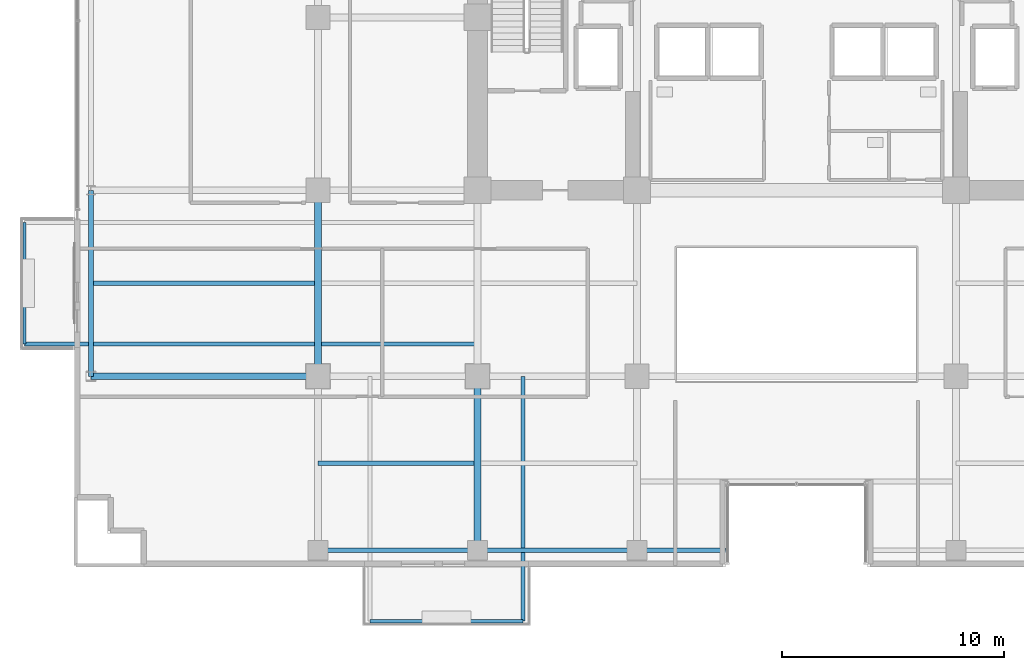
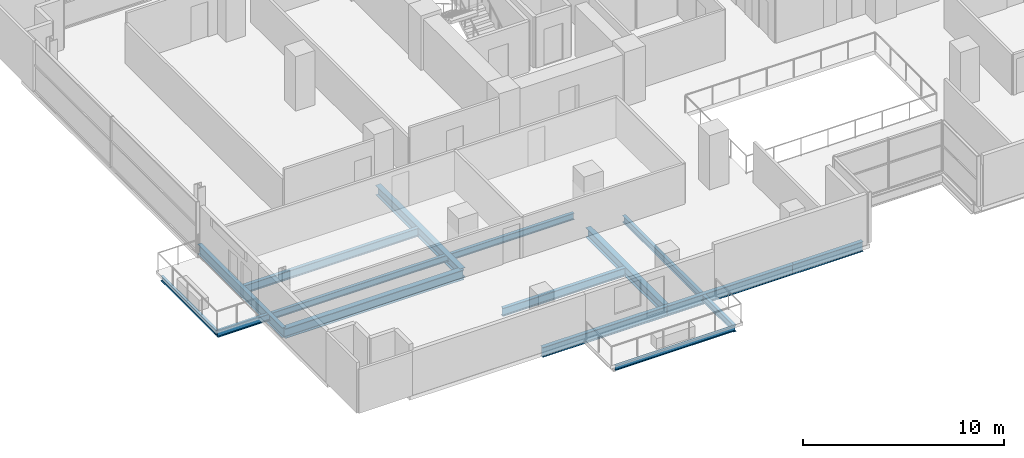
# One storey, part 2 of 30: 13 beams.
"""IFC4 building model written with IfcOpenShell, lengths in metres."""

from ifc_helpers import new_model, si_unit, direction, frame, origin, origin_2d, place, context, subcontext, project, spatial, i_section, extrude, material, material_profile, profile_set, type_object, element, save


model = new_model("IFC4")

# Units and contexts
model_context = context("Model", 3, precision=1e-05, world=origin(), true_north=direction((0.0, 1.0)))
body_context = subcontext(model_context, "Body", "Model", "MODEL_VIEW")
ifc_project = project(units=[si_unit("LENGTHUNIT", "METRE"), si_unit("AREAUNIT", "SQUARE_METRE"), si_unit("VOLUMEUNIT", "CUBIC_METRE"), si_unit("PLANEANGLEUNIT", "RADIAN"), si_unit("MASSUNIT", "GRAM", prefix="KILO")], contexts=[model_context])

# Site, building, storey
site_placement = place(None, origin())
site = spatial("IfcSite", under=ifc_project, at=site_placement, CompositionType="ELEMENT")
building_placement = place(site_placement, origin())
building = spatial("IfcBuilding", under=site, at=building_placement, Name="Zarnakvel Exchange Tower", CompositionType="ELEMENT")
storey_placement = place(building_placement, frame((0.0, 0.0, 34.0)))
storey = spatial("IfcBuildingStorey", under=building, at=storey_placement, Name="L08", CompositionType="ELEMENT", Elevation=34.0)

# Beams
ifc_material = material(Name="Steel S355", Category="steel")
ifc_material_profile_1 = material_profile(ifc_material, i_section(OverallWidth=0.199951171875, OverallDepth=0.5, WebThickness=0.01025390625, FlangeThickness=0.01611328125, FilletRadius=0.02099609375, at=origin_2d()))
ifc_profile_set_1 = profile_set([ifc_material_profile_1], Name="Steel S355")
beam_type_1 = type_object("IfcBeamType", Name="B-04", PredefinedType="JOIST", material=ifc_profile_set_1)
beam_1_placement = place(storey_placement, frame((-21.60009765625, -13.52490234375, -0.47509765625), z_axis=(1.0, 0.0, 0.0), x_axis=(0.0, 1.0, 0.0)))
element("IfcBeam", 1, at=beam_1_placement, inside=storey, type_object=beam_type_1, Name="L08 Composite Floor Secondary Joist", PredefinedType="JOIST", context=body_context, shape_type="SweptSolid", body=[
    extrude(i_section(OverallWidth=0.199951171875, OverallDepth=0.5, WebThickness=0.01025390625, FlangeThickness=0.01611328125, FilletRadius=0.02099609375, at=origin_2d()), origin(), (0.0, 0.0, 1.0), 7.050048828125),
])
beam_2_placement = place(storey_placement, frame((-31.85009765625, -5.39990234375, -0.47509765625), z_axis=(1.0, 0.0, 0.0), x_axis=(0.0, 1.0, 0.0)))
element("IfcBeam", 2, at=beam_2_placement, inside=storey, type_object=beam_type_1, Name="L08 Composite Floor Secondary Joist", PredefinedType="JOIST", context=body_context, shape_type="SweptSolid", body=[
    extrude(i_section(OverallWidth=0.199951171875, OverallDepth=0.5, WebThickness=0.01025390625, FlangeThickness=0.01611328125, FilletRadius=0.02099609375, at=origin_2d()), origin(), (0.0, 0.0, 1.0), 10.10009765625),
])
ifc_material_profile_2 = material_profile(ifc_material, i_section(OverallWidth=0.179931640625, OverallDepth=0.39990234375, WebThickness=0.008544921875, FlangeThickness=0.013427734375, FilletRadius=0.02099609375, at=origin_2d()))
ifc_profile_set_2 = profile_set([ifc_material_profile_2], Name="Steel S355")
beam_type_2 = type_object("IfcBeamType", Name="B-06", PredefinedType="JOIST", material=ifc_profile_set_2)
beam_3_placement = place(storey_placement, frame((-12.35009765625, -9.60009765625, -0.425048828125), z_axis=(0.0, -1.0, 0.0), x_axis=(1.0, 0.0, 0.0)))
element("IfcBeam", 3, at=beam_3_placement, inside=storey, type_object=beam_type_2, Name="L08 Continuous Back-Spanned Balcony Beam E", PredefinedType="JOIST", context=body_context, shape_type="SweptSolid", body=[
    extrude(i_section(OverallWidth=0.179931640625, OverallDepth=0.39990234375, WebThickness=0.008544921875, FlangeThickness=0.013427734375, FilletRadius=0.02099609375, at=origin_2d()), origin(), (0.0, 0.0, 1.0), 11.0498046875),
])
beam_4_placement = place(storey_placement, frame((-14.39990234375, -8.14990234375, -0.425048828125), z_axis=(-1.0, 0.0, 0.0), x_axis=(0.0, -1.0, 0.0)))
element("IfcBeam", 4, at=beam_4_placement, inside=storey, type_object=beam_type_2, Name="L08 Continuous West Loggia Beam S", PredefinedType="JOIST", context=body_context, shape_type="SweptSolid", body=[
    extrude(i_section(OverallWidth=0.179931640625, OverallDepth=0.39990234375, WebThickness=0.008544921875, FlangeThickness=0.013427734375, FilletRadius=0.02099609375, at=origin_2d()), origin(), (0.0, 0.0, 1.0), 20.4501953125),
])
ifc_material_profile_3 = material_profile(ifc_material, i_section(OverallWidth=0.14990234375, OverallDepth=0.300048828125, WebThickness=0.007080078125, FlangeThickness=0.0107421875, FilletRadius=0.014892578125, at=origin_2d()))
ifc_profile_set_3 = profile_set([ifc_material_profile_3], Name="Steel S355")
beam_type_3 = type_object("IfcBeamType", Name="B-08", PredefinedType="JOIST", material=ifc_profile_set_3)
beam_5_placement = place(storey_placement, frame((-19.25, -20.64990234375, -0.375), z_axis=(1.0, 0.0, 0.0), x_axis=(0.0, 1.0, 0.0)))
element("IfcBeam", 5, at=beam_5_placement, inside=storey, type_object=beam_type_3, Name="L08 Balcony Edge Beam", PredefinedType="JOIST", context=body_context, shape_type="SweptSolid", body=[
    extrude(i_section(OverallWidth=0.14990234375, OverallDepth=0.300048828125, WebThickness=0.007080078125, FlangeThickness=0.0107421875, FilletRadius=0.014892578125, at=origin_2d()), origin(), (0.0, 0.0, 1.0), 6.89990234375),
])
beam_6_placement = place(storey_placement, frame((-34.85009765625, -8.14990234375, -0.375), z_axis=(0.0, 1.0, 0.0), x_axis=(-1.0, 0.0, 0.0)))
element("IfcBeam", 6, at=beam_6_placement, inside=storey, type_object=beam_type_3, Name="L08 West Loggia Edge Beam", PredefinedType="JOIST", context=body_context, shape_type="SweptSolid", body=[
    extrude(i_section(OverallWidth=0.14990234375, OverallDepth=0.300048828125, WebThickness=0.007080078125, FlangeThickness=0.0107421875, FilletRadius=0.014892578125, at=origin_2d()), origin(), (0.0, 0.0, 1.0), 5.5),
])
ifc_material_profile_4 = material_profile(ifc_material, i_section(OverallWidth=0.300048828125, OverallDepth=0.60009765625, WebThickness=0.015380859375, FlangeThickness=0.030029296875, FilletRadius=0.027099609375, at=origin_2d()))
ifc_profile_set_4 = profile_set([ifc_material_profile_4], Name="Steel S355")
beam_type_4 = type_object("IfcBeamType", Name="G-04", PredefinedType="BEAM", material=ifc_profile_set_4)
beam_7_placement = place(storey_placement, frame((-31.85009765625, -9.60009765625, -0.52490234375), z_axis=(1.0, 0.0, 0.0), x_axis=(0.0, 1.0, 0.0)))
element("IfcBeam", 7, at=beam_7_placement, inside=storey, type_object=beam_type_4, Name="L08 Tower E-W Frame Beam", PredefinedType="BEAM", context=body_context, shape_type="SweptSolid", body=[
    extrude(i_section(OverallWidth=0.300048828125, OverallDepth=0.60009765625, WebThickness=0.015380859375, FlangeThickness=0.030029296875, FilletRadius=0.027099609375, at=origin_2d()), origin(), (0.0, 0.0, 1.0), 10.25),
])
beam_8_placement = place(storey_placement, frame((-21.60009765625, -9.60009765625, -0.52490234375), z_axis=(0.0, 1.0, 0.0), x_axis=(-1.0, 0.0, 0.0)))
element("IfcBeam", 8, at=beam_8_placement, inside=storey, type_object=beam_type_4, Name="L08 Tower N-S Frame Beam", PredefinedType="BEAM", context=body_context, shape_type="SweptSolid", body=[
    extrude(i_section(OverallWidth=0.300048828125, OverallDepth=0.60009765625, WebThickness=0.015380859375, FlangeThickness=0.030029296875, FilletRadius=0.027099609375, at=origin_2d()), origin(), (0.0, 0.0, 1.0), 8.400146484375),
])
beam_9_placement = place(storey_placement, frame((-14.39990234375, -17.449951171875, -0.52490234375), z_axis=(0.0, 1.0, 0.0), x_axis=(-1.0, 0.0, 0.0)))
element("IfcBeam", 9, at=beam_9_placement, inside=storey, type_object=beam_type_4, Name="L08 Tower N-S Frame Beam", PredefinedType="BEAM", context=body_context, shape_type="SweptSolid", body=[
    extrude(i_section(OverallWidth=0.300048828125, OverallDepth=0.60009765625, WebThickness=0.015380859375, FlangeThickness=0.030029296875, FilletRadius=0.027099609375, at=origin_2d()), origin(), (0.0, 0.0, 1.0), 7.849853515625),
])
ifc_material_profile_5 = material_profile(ifc_material, i_section(OverallWidth=0.219970703125, OverallDepth=0.60009765625, WebThickness=0.011962890625, FlangeThickness=0.01904296875, FilletRadius=0.02392578125, at=origin_2d()))
ifc_profile_set_5 = profile_set([ifc_material_profile_5], Name="Steel S355")
beam_type_5 = type_object("IfcBeamType", Name="SP-01", PredefinedType="SPANDREL", material=ifc_profile_set_5)
beam_10_placement = place(storey_placement, frame((-21.60009765625, -17.449951171875, -0.52490234375), z_axis=(1.0, 0.0, 0.0), x_axis=(0.0, 1.0, 0.0)))
element("IfcBeam", 10, at=beam_10_placement, inside=storey, type_object=beam_type_5, Name="L08 Tower E-W Frame Beam", PredefinedType="SPANDREL", context=body_context, shape_type="SweptSolid", body=[
    extrude(i_section(OverallWidth=0.219970703125, OverallDepth=0.60009765625, WebThickness=0.011962890625, FlangeThickness=0.01904296875, FilletRadius=0.02392578125, at=origin_2d()), origin(), (0.0, 0.0, 1.0), 7.2001953125),
])
beam_11_placement = place(storey_placement, frame((-14.39990234375, -17.449951171875, -0.52490234375), z_axis=(1.0, 0.0, 0.0), x_axis=(0.0, 1.0, 0.0)))
element("IfcBeam", 11, at=beam_11_placement, inside=storey, type_object=beam_type_5, Name="L08 Tower E-W Frame Beam", PredefinedType="SPANDREL", context=body_context, shape_type="SweptSolid", body=[
    extrude(i_section(OverallWidth=0.219970703125, OverallDepth=0.60009765625, WebThickness=0.011962890625, FlangeThickness=0.01904296875, FilletRadius=0.02392578125, at=origin_2d()), origin(), (0.0, 0.0, 1.0), 7.199951171875),
])
beam_12_placement = place(storey_placement, frame((-7.199951171875, -17.449951171875, -0.52490234375), z_axis=(1.0, 0.0, 0.0), x_axis=(0.0, 1.0, 0.0)))
element("IfcBeam", 12, at=beam_12_placement, inside=storey, type_object=beam_type_5, Name="L08 South Slot West Jamb Spandrel", PredefinedType="SPANDREL", context=body_context, shape_type="SweptSolid", body=[
    extrude(i_section(OverallWidth=0.219970703125, OverallDepth=0.60009765625, WebThickness=0.011962890625, FlangeThickness=0.01904296875, FilletRadius=0.02392578125, at=origin_2d()), origin(), (0.0, 0.0, 1.0), 4.0),
])
beam_13_placement = place(storey_placement, frame((-31.85009765625, -9.60009765625, -0.52490234375), z_axis=(0.0, 1.0, 0.0), x_axis=(-1.0, 0.0, 0.0)))
element("IfcBeam", 13, at=beam_13_placement, inside=storey, type_object=beam_type_5, Name="L08 Tower N-S Frame Beam", PredefinedType="SPANDREL", context=body_context, shape_type="SweptSolid", body=[
    extrude(i_section(OverallWidth=0.219970703125, OverallDepth=0.60009765625, WebThickness=0.011962890625, FlangeThickness=0.01904296875, FilletRadius=0.02392578125, at=origin_2d()), origin(), (0.0, 0.0, 1.0), 8.400146484375),
])

save(model, "model.ifc")
